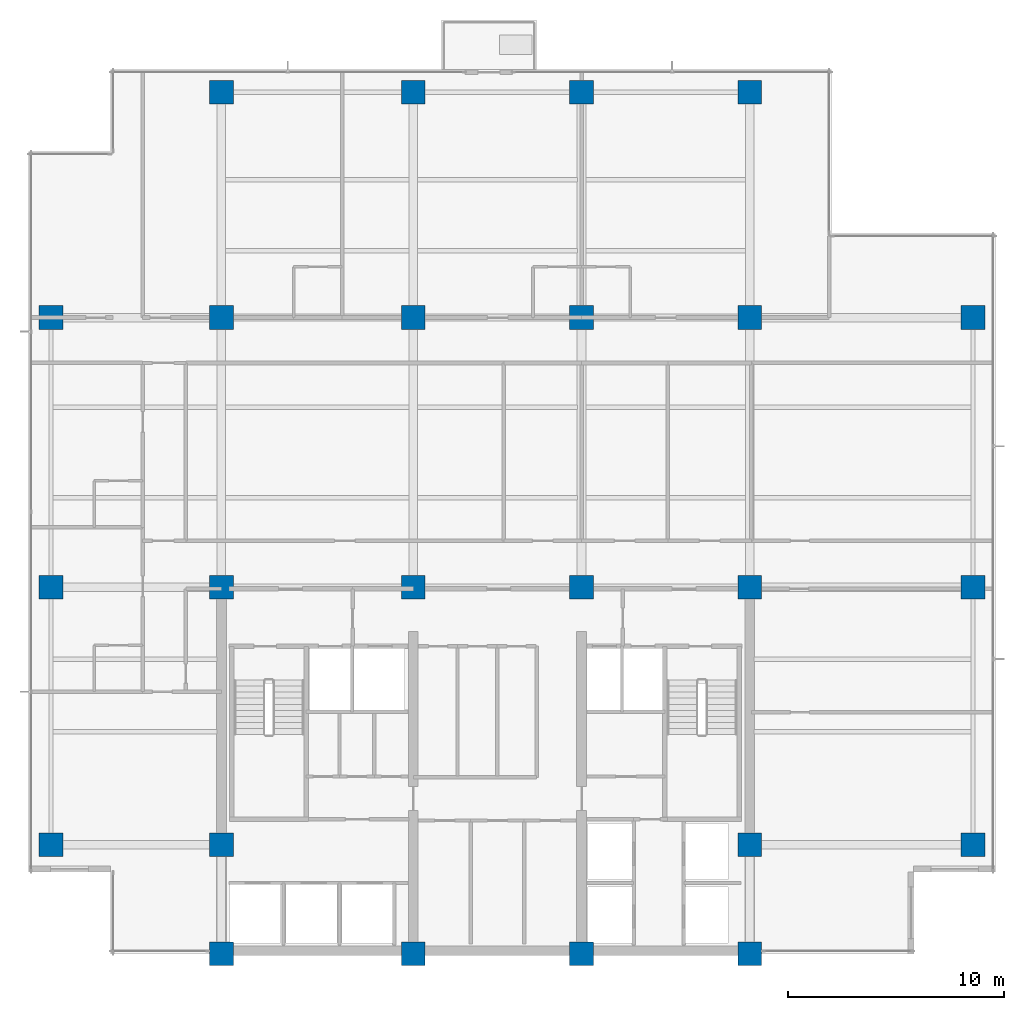
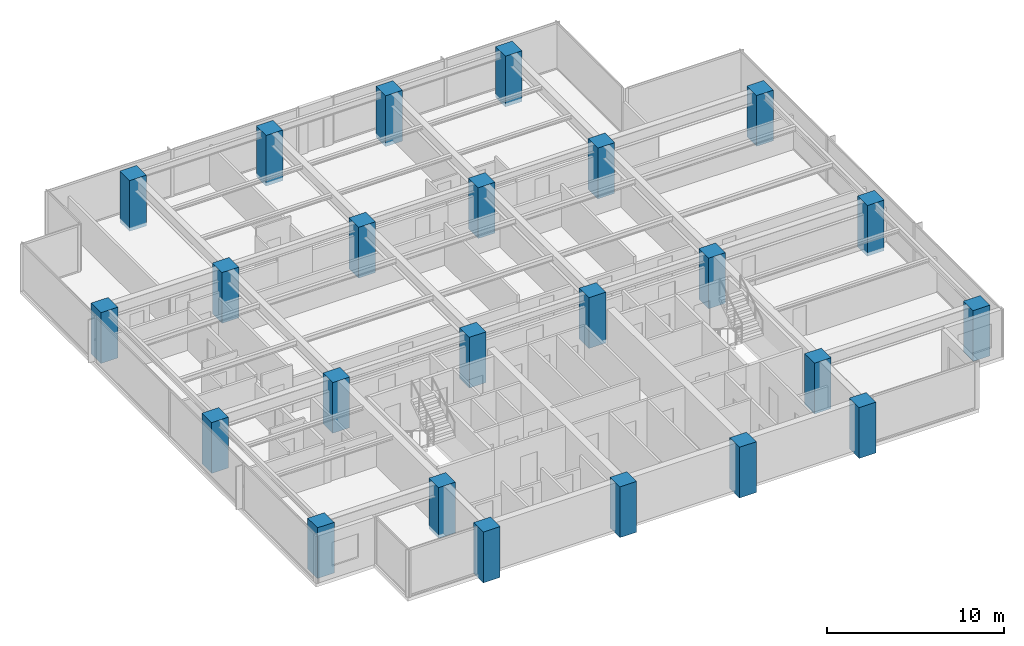
# One storey, part 1 of 15: 24 columns.
"""IFC4 building model written with IfcOpenShell, lengths in metres."""

from ifc_helpers import new_model, si_unit, direction, frame, origin, origin_2d, place, context, subcontext, project, spatial, rectangle, extrude, material, material_profile, profile_set, type_object, element, save


model = new_model("IFC4")

# Units and contexts
model_context = context("Model", 3, precision=1e-05, world=origin(), true_north=direction((0.0, 1.0)))
body_context = subcontext(model_context, "Body", "Model", "MODEL_VIEW")
ifc_project = project(units=[si_unit("LENGTHUNIT", "METRE"), si_unit("AREAUNIT", "SQUARE_METRE"), si_unit("VOLUMEUNIT", "CUBIC_METRE"), si_unit("PLANEANGLEUNIT", "RADIAN"), si_unit("MASSUNIT", "GRAM", prefix="KILO")], contexts=[model_context])

# Site, building, storey
site_placement = place(None, origin())
site = spatial("IfcSite", under=ifc_project, at=site_placement, CompositionType="ELEMENT")
building_placement = place(site_placement, origin())
building = spatial("IfcBuilding", under=site, at=building_placement, Name="Qalmaran Belvedere Hotel", CompositionType="ELEMENT")
storey_placement = place(building_placement, frame((0.0, 0.0, 159.60009765625)))
storey = spatial("IfcBuildingStorey", under=building, at=storey_placement, Name="L40", CompositionType="ELEMENT", Elevation=159.60009765625)

# Columns
ifc_material = material(Name="Concrete C50/60", Category="concrete")
ifc_material_profile = material_profile(ifc_material, rectangle(XDim=1.10009765625, YDim=1.10009765625, at=origin_2d()), Name="CC1100X1100")
ifc_profile_set = profile_set([ifc_material_profile], Name="Concrete C50/60")
column_type = type_object("IfcColumnType", Name="COL-Z3-CC1100", PredefinedType="COLUMN", material=ifc_profile_set)
for number, where, z_axis, x_axis, name in (
    (1, (20.300048828125, 3.5, -0.25), (0.0, 0.0, 1.0), (1.0, 0.0, 0.0), "L40 Column C4B"),
    (2, (29.199951171875, 3.5, -0.25), (0.0, 0.0, 1.0), (1.0, 0.0, 0.0), "L40 Column C5B"),
    (3, (37.0, 3.5, -0.25), (0.0, 0.0, 1.0), (1.0, 0.0, 0.0), "L40 Column C6B"),
    (4, (44.800048828125, 3.5, -0.25), (0.0, 0.0, 1.0), (1.0, 0.0, 0.0), "L40 Column C7B"),
    (5, (20.300048828125, 8.550048828125, -0.25), (0.0, 0.0, 1.0), (1.0, 0.0, 0.0), "L40 Column C4C"),
    (6, (44.800048828125, 8.550048828125, -0.25), (0.0, 0.0, 1.0), (1.0, 0.0, 0.0), "L40 Column C7C"),
    (7, (20.300048828125, 20.5, -0.25), (0.0, 0.0, 1.0), (1.0, 0.0, 0.0), "L40 Column C4D"),
    (8, (29.199951171875, 20.5, -0.25), (0.0, 0.0, 1.0), (1.0, 0.0, 0.0), "L40 Column C5D"),
    (9, (37.0, 20.5, -0.25), (0.0, 0.0, 1.0), (1.0, 0.0, 0.0), "L40 Column C6D"),
    (10, (44.800048828125, 20.5, -0.25), (0.0, 0.0, 1.0), (1.0, 0.0, 0.0), "L40 Column C7D"),
    (11, (20.300048828125, 33.0, -0.25), (0.0, 0.0, 1.0), (1.0, 0.0, 0.0), "L40 Column C4F"),
    (12, (29.199951171875, 33.0, -0.25), (0.0, 0.0, 1.0), (1.0, 0.0, 0.0), "L40 Column C5F"),
    (13, (37.0, 33.0, -0.25), (0.0, 0.0, 1.0), (1.0, 0.0, 0.0), "L40 Column C6F"),
    (14, (44.800048828125, 33.0, -0.25), (0.0, 0.0, 1.0), (1.0, 0.0, 0.0), "L40 Column C7F"),
    (15, (12.39990234375, 8.550048828125, -0.25), (0.0, 0.0, 1.0), (1.0, 0.0, 0.0), "L40 Column CW1"),
    (16, (12.39990234375, 20.5, -0.25), (0.0, 0.0, 1.0), (1.0, 0.0, 0.0), "L40 Column CW3"),
    (17, (12.39990234375, 33.0, -0.25), (0.0, 0.0, 1.0), (1.0, 0.0, 0.0), "L40 Column CW4"),
    (18, (55.14990234375, 8.550048828125, -0.25), (0.0, 0.0, 1.0), (1.0, 0.0, 0.0), "L40 Column CE1"),
    (19, (55.14990234375, 20.5, -0.25), (0.0, 0.0, 1.0), (1.0, 0.0, 0.0), "L40 Column CE3"),
    (20, (55.14990234375, 33.0, -0.25), (0.0, 0.0, 1.0), (1.0, 0.0, 0.0), "L40 Column CE4"),
    (21, (20.300048828125, 43.449951171875, -0.25), (0.0, 0.0, 1.0), (1.0, 0.0, 0.0), "L40 Column CN1"),
    (22, (29.199951171875, 43.449951171875, -0.25), (0.0, 0.0, 1.0), (1.0, 0.0, 0.0), "L40 Column CN2"),
    (23, (37.0, 43.449951171875, -0.25), (0.0, 0.0, 1.0), (1.0, 0.0, 0.0), "L40 Column CN3"),
    (24, (44.800048828125, 43.449951171875, -0.25), (0.0, 0.0, 1.0), (1.0, 0.0, 0.0), "L40 Column CN4"),
):
    element("IfcColumn", number, at=place(storey_placement, frame(where, z_axis=z_axis, x_axis=x_axis)), inside=storey, type_object=column_type, Name=name, PredefinedType="COLUMN", context=body_context, shape_type="SweptSolid", body=[
        extrude(rectangle(XDim=1.10009765625, YDim=1.10009765625, at=origin_2d()), origin(), (0.0, 0.0, 1.0), 3.5),
    ])

save(model, "model.ifc")
